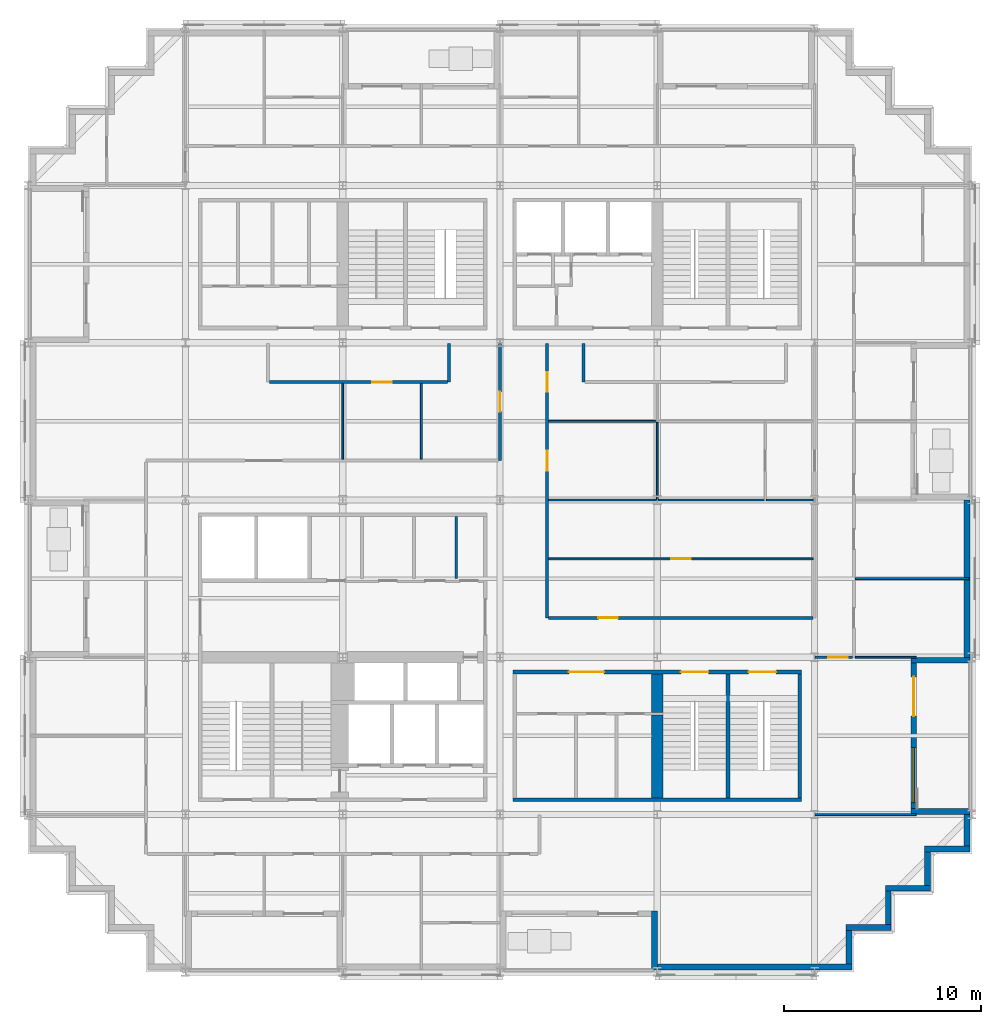
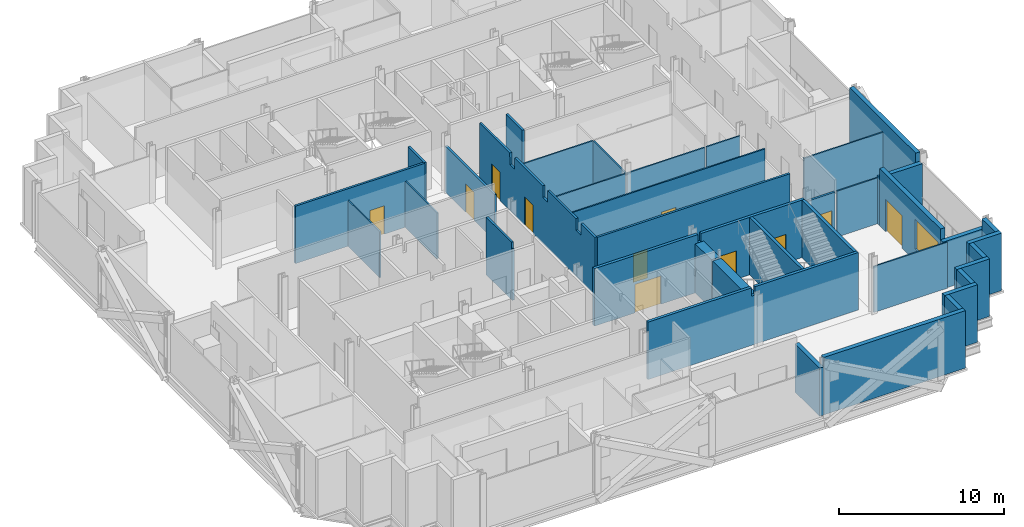
# One storey, part 7 of 15: 38 walls, 11 doors, 1 window, 12 openings.
"""IFC4 building model written with IfcOpenShell, lengths in metres."""

from ifc_helpers import new_model, si_unit, direction, frame, frame_2d, origin, place, context, subcontext, project, spatial, polyline, rectangle, outline, extrude, material, layer, layer_set, type_object, element, fill, save


model = new_model("IFC4")

# Units and contexts
model_context = context("Model", 3, precision=1e-05, world=origin(), true_north=direction((0.0, 1.0)))
body_context = subcontext(model_context, "Body", "Model", "MODEL_VIEW")
ifc_project = project(units=[si_unit("LENGTHUNIT", "METRE"), si_unit("AREAUNIT", "SQUARE_METRE"), si_unit("VOLUMEUNIT", "CUBIC_METRE"), si_unit("PLANEANGLEUNIT", "RADIAN"), si_unit("MASSUNIT", "GRAM", prefix="KILO")], contexts=[model_context])

# Site, building, storey
site_placement = place(None, origin())
site = spatial("IfcSite", under=ifc_project, at=site_placement, CompositionType="ELEMENT")
building_placement = place(site_placement, origin())
building = spatial("IfcBuilding", under=site, at=building_placement, Name="Immortelle Media Tower", CompositionType="ELEMENT")
storey_placement = place(building_placement, frame((0.0, 0.0, 61.199951171875)))
storey = spatial("IfcBuildingStorey", under=building, at=storey_placement, Name="L10", CompositionType="ELEMENT", Elevation=61.199951171875)

# Wall
ifc_material_1 = material(Name="Fire-rated gypsum board", Category="gypsum")
ifc_layer_1 = layer(ifc_material_1, 0.02490234375)
ifc_material_2 = material(Name="Steel ASTM A653 SS Gr 50 stud frame with mineral wool", Category="steel")
ifc_layer_2 = layer(ifc_material_2, 0.10009765625)
ifc_layer_3 = layer(ifc_material_1, 0.02490234375)
ifc_layer_set_1 = layer_set([ifc_layer_1, ifc_layer_2, ifc_layer_3], Name="Steel ASTM A653 SS Gr 50 stud frame with mineral wool")
wall_type_1 = type_object("IfcWallType", Name="Core partition 150", PredefinedType="PARTITIONING", material=ifc_layer_set_1)
wall_1_placement = place(storey_placement, frame((21.77490234375, 20.0, 0.0), z_axis=(0.0, 0.0, 1.0), x_axis=(0.0, 1.0, 0.0)))
element("IfcWall", 1, at=wall_1_placement, inside=storey, type_object=wall_type_1, Name="Core partition SW", PredefinedType="PARTITIONING", context=body_context, shape_type="SweptSolid", body=[
    extrude(outline(polyline([(0.0, 0.0), (3.14990234375, 0.0), (3.14990234375, 4.25), (0.08154296875, 4.25), (0.08056640625, 3.7890625), (0.0, 3.7890625), (0.0, 0.0)])), frame((0.0, 0.074951171875, 0.0), z_axis=(0.0, -1.0, 0.0), x_axis=(1.0, 0.0, 0.0)), (0.0, 0.0, 1.0), 0.14990234375),
])

# Wall, opening, door
ifc_layer_4 = layer(ifc_material_1, 0.012451171875)
ifc_layer_5 = layer(ifc_material_2, 0.125)
ifc_layer_6 = layer(ifc_material_1, 0.012451171875)
ifc_layer_set_2 = layer_set([ifc_layer_4, ifc_layer_5, ifc_layer_6], Name="Steel ASTM A653 SS Gr 50 stud frame with mineral wool")
wall_type_2 = type_object("IfcWallType", Name="Corridor wall 150", PredefinedType="PARTITIONING", material=ifc_layer_set_2)
wall_2_placement = place(storey_placement, frame((40.030029296875, 16.0, 0.0), z_axis=(0.0, 0.0, 1.0), x_axis=(1.0, 0.0, 0.0)))
wall_2 = element("IfcWall", 2, at=wall_2_placement, inside=storey, type_object=wall_type_2, Name="Partition L10-015", PredefinedType="PARTITIONING", context=body_context, shape_type="SweptSolid", body=[
    extrude(rectangle(XDim=1.89501953125, YDim=0.14990234375, at=frame_2d((0.947509765625, 0.0))), origin(), (0.0, 0.0, 1.0), 3.39111328125),
])
opening_1_placement = place(wall_2_placement, frame((1.669921875, 0.0, 0.0), z_axis=(0.0, 0.0, 1.0), x_axis=(-1.0, 0.0, 0.0)))
opening_1 = element("IfcOpeningElement", 3, at=opening_1_placement, cuts=wall_2, Name="Opening N3-F010", PredefinedType="OPENING", context=body_context, shape_type="SweptSolid", body=[
    extrude(rectangle(XDim=1.0, YDim=2.10009765625, at=frame_2d((0.5, 1.050048828125))), frame((0.0, 0.0849609375, 0.0), z_axis=(0.0, -1.0, 0.0), x_axis=(1.0, 0.0, 0.0)), (0.0, 0.0, 1.0), 0.169921875),
])
ifc_material_3 = material(Name="Timber veneered door leaf, galvanised steel frame ASTM A653", Category="steel")
door_type_1 = type_object("IfcDoorType", Name="Room door 1000 x 2100", OperationType="NOTDEFINED", PredefinedType="DOOR", material=ifc_material_3)
door_1_placement = place(opening_1_placement, origin())
door_1 = element("IfcDoor", 4, at=door_1_placement, inside=storey, type_object=door_type_1, Name="Door N3-F010", OperationType="SINGLE_SWING_RIGHT", OverallHeight=2.10009765625, OverallWidth=1.0, PredefinedType="DOOR", context=body_context, shape_type="SweptSolid", body=[
    extrude(rectangle(XDim=1.0, YDim=2.10009765625, at=frame_2d((0.5, 1.050048828125))), frame((0.0, 0.02490234375, 0.0), z_axis=(0.0, -1.0, 0.0), x_axis=(1.0, 0.0, 0.0)), (0.0, 0.0, 1.0), 0.050048828125),
])
fill(opening_1, door_1)

wall_3_placement = place(storey_placement, frame((26.47509765625, 18.0, 0.0), z_axis=(0.0, 0.0, 1.0), x_axis=(1.0, 0.0, 0.0)))
wall_3 = element("IfcWall", 5, at=wall_3_placement, inside=storey, type_object=wall_type_2, Name="Partition L10-018", PredefinedType="PARTITIONING", context=body_context, shape_type="SweptSolid", body=[
    extrude(rectangle(XDim=13.449951171875, YDim=0.14990234375, at=frame_2d((6.72509765625, 0.0))), origin(), (0.0, 0.0, 1.0), 4.25),
])
opening_2_placement = place(wall_3_placement, frame((3.52490234375, 0.0, 0.0), z_axis=(0.0, 0.0, 1.0), x_axis=(-1.0, 0.0, 0.0)))
opening_2 = element("IfcOpeningElement", 6, at=opening_2_placement, cuts=wall_3, Name="Opening N3-F014", PredefinedType="OPENING", context=body_context, shape_type="SweptSolid", body=[
    extrude(rectangle(XDim=1.0, YDim=2.10009765625, at=frame_2d((0.5, 1.050048828125))), frame((0.0, 0.0849609375, 0.0), z_axis=(0.0, -1.0, 0.0), x_axis=(1.0, 0.0, 0.0)), (0.0, 0.0, 1.0), 0.169921875),
])
door_2_placement = place(opening_2_placement, origin())
door_2 = element("IfcDoor", 7, at=door_2_placement, inside=storey, type_object=door_type_1, Name="Door N3-F014", OperationType="SINGLE_SWING_RIGHT", OverallHeight=2.10009765625, OverallWidth=1.0, PredefinedType="DOOR", context=body_context, shape_type="SweptSolid", body=[
    extrude(rectangle(XDim=1.0, YDim=2.10009765625, at=frame_2d((0.5, 1.050048828125))), frame((0.0, 0.02490234375, 0.0), z_axis=(0.0, -1.0, 0.0), x_axis=(1.0, 0.0, 0.0)), (0.0, 0.0, 1.0), 0.050048828125),
])
fill(opening_2, door_2)

# Wall, openings, doors
wall_4_placement = place(storey_placement, frame((26.39990234375, 18.0, 0.0), z_axis=(0.0, 0.0, 1.0), x_axis=(0.0, 1.0, 0.0)))
wall_4 = element("IfcWall", 8, at=wall_4_placement, inside=storey, type_object=wall_type_2, Name="Partition L10-019", PredefinedType="PARTITIONING", context=body_context, shape_type="SweptSolid", body=[
    extrude(outline(polyline([(0.0, 0.0), (13.969970703125, 0.0), (13.969970703125, 4.25), (10.300048828125, 4.25), (10.298095703125, 3.39111328125), (9.701904296875, 3.39111328125), (9.699951171875, 4.25), (6.300048828125, 4.25), (6.298095703125, 3.39111328125), (5.701904296875, 3.39111328125), (5.699951171875, 4.25), (2.300048828125, 4.25), (2.298095703125, 3.39111328125), (1.701904296875, 3.39111328125), (1.699951171875, 4.25), (0.0, 4.25), (0.0, 0.0)])), frame((0.0, 0.074951171875, 0.0), z_axis=(0.0, -1.0, 0.0), x_axis=(1.0, 0.0, 0.0)), (0.0, 0.0, 1.0), 0.14990234375),
])
opening_3_placement = place(wall_4_placement, frame((8.5, 0.0, 0.0), z_axis=(0.0, 0.0, 1.0), x_axis=(-1.0, 0.0, 0.0)))
opening_3 = element("IfcOpeningElement", 9, at=opening_3_placement, cuts=wall_4, Name="Opening N3-F019", PredefinedType="OPENING", context=body_context, shape_type="SweptSolid", body=[
    extrude(rectangle(XDim=1.0, YDim=2.10009765625, at=frame_2d((0.5, 1.050048828125))), frame((0.0, 0.0849609375, 0.0), z_axis=(0.0, -1.0, 0.0), x_axis=(1.0, 0.0, 0.0)), (0.0, 0.0, 1.0), 0.169921875),
])
opening_4_placement = place(wall_4_placement, frame((12.5, 0.0, 0.0), z_axis=(0.0, 0.0, 1.0), x_axis=(-1.0, 0.0, 0.0)))
opening_4 = element("IfcOpeningElement", 10, at=opening_4_placement, cuts=wall_4, Name="Opening N3-F020", PredefinedType="OPENING", context=body_context, shape_type="SweptSolid", body=[
    extrude(rectangle(XDim=1.0, YDim=2.10009765625, at=frame_2d((0.5, 1.050048828125))), frame((0.0, 0.0849609375, 0.0), z_axis=(0.0, -1.0, 0.0), x_axis=(1.0, 0.0, 0.0)), (0.0, 0.0, 1.0), 0.169921875),
])
door_3_placement = place(opening_3_placement, origin())
door_3 = element("IfcDoor", 11, at=door_3_placement, inside=storey, type_object=door_type_1, Name="Door N3-F019", OperationType="SINGLE_SWING_LEFT", OverallHeight=2.10009765625, OverallWidth=1.0, PredefinedType="DOOR", context=body_context, shape_type="SweptSolid", body=[
    extrude(rectangle(XDim=1.0, YDim=2.10009765625, at=frame_2d((0.5, 1.050048828125))), frame((0.0, 0.02490234375, 0.0), z_axis=(0.0, -1.0, 0.0), x_axis=(1.0, 0.0, 0.0)), (0.0, 0.0, 1.0), 0.050048828125),
])
fill(opening_3, door_3)
door_4_placement = place(opening_4_placement, origin())
door_4 = element("IfcDoor", 12, at=door_4_placement, inside=storey, type_object=door_type_1, Name="Door N3-F020", OperationType="SINGLE_SWING_LEFT", OverallHeight=2.10009765625, OverallWidth=1.0, PredefinedType="DOOR", context=body_context, shape_type="SweptSolid", body=[
    extrude(rectangle(XDim=1.0, YDim=2.10009765625, at=frame_2d((0.5, 1.050048828125))), frame((0.0, 0.02490234375, 0.0), z_axis=(0.0, -1.0, 0.0), x_axis=(1.0, 0.0, 0.0)), (0.0, 0.0, 1.0), 0.050048828125),
])
fill(opening_4, door_4)

# Wall, opening, door
wall_5_placement = place(storey_placement, frame((24.0, 26.0, 0.0), z_axis=(0.0, 0.0, 1.0), x_axis=(0.0, 1.0, 0.0)))
wall_5 = element("IfcWall", 13, at=wall_5_placement, inside=storey, type_object=wall_type_2, Name="Partition L10-033", PredefinedType="PARTITIONING", context=body_context, shape_type="SweptSolid", body=[
    extrude(rectangle(XDim=5.969970703125, YDim=0.14990234375, at=frame_2d((2.98486328125, 0.0))), origin(), (0.0, 0.0, 1.0), 3.39111328125),
])
opening_5_placement = place(wall_5_placement, frame((2.5, 0.0, 0.0)))
opening_5 = element("IfcOpeningElement", 14, at=opening_5_placement, cuts=wall_5, Name="Opening N3-F024", PredefinedType="OPENING", context=body_context, shape_type="SweptSolid", body=[
    extrude(rectangle(XDim=1.0, YDim=2.10009765625, at=frame_2d((0.5, 1.050048828125))), frame((0.0, 0.0849609375, 0.0), z_axis=(0.0, -1.0, 0.0), x_axis=(1.0, 0.0, 0.0)), (0.0, 0.0, 1.0), 0.169921875),
])
door_5_placement = place(opening_5_placement, origin())
door_5 = element("IfcDoor", 15, at=door_5_placement, inside=storey, type_object=door_type_1, Name="Door N3-F024", OperationType="SINGLE_SWING_RIGHT", OverallHeight=2.10009765625, OverallWidth=1.0, PredefinedType="DOOR", context=body_context, shape_type="SweptSolid", body=[
    extrude(rectangle(XDim=1.0, YDim=2.10009765625, at=frame_2d((0.5, 1.050048828125))), frame((0.0, 0.02490234375, 0.0), z_axis=(0.0, -1.0, 0.0), x_axis=(1.0, 0.0, 0.0)), (0.0, 0.0, 1.0), 0.050048828125),
])
fill(opening_5, door_5)

wall_6_placement = place(storey_placement, frame((12.27490234375, 30.0, 0.0), z_axis=(0.0, 0.0, 1.0), x_axis=(1.0, 0.0, 0.0)))
wall_6 = element("IfcWall", 16, at=wall_6_placement, inside=storey, type_object=wall_type_2, Name="Partition L10-039", PredefinedType="PARTITIONING", context=body_context, shape_type="SweptSolid", body=[
    extrude(rectangle(XDim=9.050048828125, YDim=0.14990234375, at=frame_2d((4.52490234375, 0.0))), origin(), (0.0, 0.0, 1.0), 4.25),
])
opening_6_placement = place(wall_6_placement, frame((6.22509765625, 0.0, 0.0), z_axis=(0.0, 0.0, 1.0), x_axis=(-1.0, 0.0, 0.0)))
opening_6 = element("IfcOpeningElement", 17, at=opening_6_placement, cuts=wall_6, Name="Opening N3-F023", PredefinedType="OPENING", context=body_context, shape_type="SweptSolid", body=[
    extrude(rectangle(XDim=1.0, YDim=2.10009765625, at=frame_2d((0.5, 1.050048828125))), frame((0.0, 0.0849609375, 0.0), z_axis=(0.0, -1.0, 0.0), x_axis=(1.0, 0.0, 0.0)), (0.0, 0.0, 1.0), 0.169921875),
])
door_6_placement = place(opening_6_placement, origin())
door_6 = element("IfcDoor", 18, at=door_6_placement, inside=storey, type_object=door_type_1, Name="Door N3-F023", OperationType="SINGLE_SWING_LEFT", OverallHeight=2.10009765625, OverallWidth=1.0, PredefinedType="DOOR", context=body_context, shape_type="SweptSolid", body=[
    extrude(rectangle(XDim=1.0, YDim=2.10009765625, at=frame_2d((0.5, 1.050048828125))), frame((0.0, 0.02490234375, 0.0), z_axis=(0.0, -1.0, 0.0), x_axis=(1.0, 0.0, 0.0)), (0.0, 0.0, 1.0), 0.050048828125),
])
fill(opening_6, door_6)

# Walls
for number, where, z_axis, x_axis, name in (
    (19, (21.39990234375, 30.0, 0.0), (0.0, 0.0, 1.0), (0.0, 1.0, 0.0), "Partition L10-041"),
    (20, (28.25, 30.0, 0.0), (0.0, 0.0, 1.0), (0.0, 1.0, 0.0), "Partition L10-043"),
):
    element("IfcWall", number, at=place(storey_placement, frame(where, z_axis=z_axis, x_axis=x_axis)), inside=storey, type_object=wall_type_2, Name=name, PredefinedType="PARTITIONING", context=body_context, shape_type="SweptSolid", body=[
        extrude(rectangle(XDim=1.969970703125, YDim=0.14990234375, at=frame_2d((0.98486328125, 0.0))), origin(), (0.0, 0.0, 1.0), 4.25),
    ])
ifc_material_4 = material(Name="Pale aluminium cladding panel", Category="aluminium")
ifc_layer_7 = layer(ifc_material_4, 0.030029296875)
ifc_layer_8 = layer(ifc_material_2, 0.257568359375)
ifc_material_5 = material(Name="Moisture-resistant gypsum board", Category="gypsum")
ifc_layer_9 = layer(ifc_material_5, 0.012451171875)
ifc_layer_set_3 = layer_set([ifc_layer_7, ifc_layer_8, ifc_layer_9], Name="Steel ASTM A653 SS Gr 50 stud frame with mineral wool")
wall_type_3 = type_object("IfcWallType", Name="Facade wall 300", PredefinedType="SOLIDWALL", material=ifc_layer_set_3)
wall_7_placement = place(storey_placement, frame((31.85009765625, 0.10009765625, 0.0), z_axis=(0.0, 0.0, 1.0), x_axis=(0.0, 1.0, 0.0)))
element("IfcWall", 21, at=wall_7_placement, inside=storey, type_object=wall_type_3, Name="Loggia cheek wall L10 S", PredefinedType="SOLIDWALL", context=body_context, shape_type="SweptSolid", body=[
    extrude(rectangle(XDim=3.0, YDim=0.300048828125, at=frame_2d((1.5, 0.0))), origin(), (0.0, 0.0, 1.0), 3.55615234375),
])
wall_8_placement = place(storey_placement, frame((32.0, 0.25, 0.0), z_axis=(0.0, 0.0, 1.0), x_axis=(1.0, 0.0, 0.0)))
element("IfcWall", 22, at=wall_8_placement, inside=storey, type_object=wall_type_3, Name="Facade wall L10 S7", PredefinedType="SOLIDWALL", context=body_context, shape_type="SweptSolid", body=[
    extrude(rectangle(XDim=9.89990234375, YDim=0.300048828125, at=frame_2d((4.949951171875, 0.0))), origin(), (0.0, 0.0, 1.0), 4.25),
])
wall_9_placement = place(storey_placement, frame((41.75, 0.39990234375, 0.0), z_axis=(0.0, 0.0, 1.0), x_axis=(0.0, 1.0, 0.0)))
element("IfcWall", 23, at=wall_9_placement, inside=storey, type_object=wall_type_3, Name="Facade wall L10 E8", PredefinedType="SOLIDWALL", context=body_context, shape_type="SweptSolid", body=[
    extrude(rectangle(XDim=1.7001953125, YDim=0.300048828125, at=frame_2d((0.85009765625, 0.0))), origin(), (0.0, 0.0, 1.0), 4.25),
])
wall_10_placement = place(storey_placement, frame((41.60009765625, 2.25, 0.0), z_axis=(0.0, 0.0, 1.0), x_axis=(1.0, 0.0, 0.0)))
element("IfcWall", 24, at=wall_10_placement, inside=storey, type_object=wall_type_3, Name="Facade wall L10 S9", PredefinedType="SOLIDWALL", context=body_context, shape_type="SweptSolid", body=[
    extrude(rectangle(XDim=2.2998046875, YDim=0.300048828125, at=frame_2d((1.14990234375, 0.0))), origin(), (0.0, 0.0, 1.0), 4.25),
])
wall_11_placement = place(storey_placement, frame((43.75, 2.39990234375, 0.0), z_axis=(0.0, 0.0, 1.0), x_axis=(0.0, 1.0, 0.0)))
element("IfcWall", 25, at=wall_11_placement, inside=storey, type_object=wall_type_3, Name="Facade wall L10 E10", PredefinedType="SOLIDWALL", context=body_context, shape_type="SweptSolid", body=[
    extrude(rectangle(XDim=1.7001953125, YDim=0.300048828125, at=frame_2d((0.85009765625, 0.0))), origin(), (0.0, 0.0, 1.0), 4.25),
])
wall_12_placement = place(storey_placement, frame((43.60009765625, 4.25, 0.0), z_axis=(0.0, 0.0, 1.0), x_axis=(1.0, 0.0, 0.0)))
element("IfcWall", 26, at=wall_12_placement, inside=storey, type_object=wall_type_3, Name="Facade wall L10 S11", PredefinedType="SOLIDWALL", context=body_context, shape_type="SweptSolid", body=[
    extrude(rectangle(XDim=2.2998046875, YDim=0.300048828125, at=frame_2d((1.14990234375, 0.0))), origin(), (0.0, 0.0, 1.0), 4.25),
])
wall_13_placement = place(storey_placement, frame((45.75, 4.39990234375, 0.0), z_axis=(0.0, 0.0, 1.0), x_axis=(0.0, 1.0, 0.0)))
element("IfcWall", 27, at=wall_13_placement, inside=storey, type_object=wall_type_3, Name="Facade wall L10 E12", PredefinedType="SOLIDWALL", context=body_context, shape_type="SweptSolid", body=[
    extrude(rectangle(XDim=1.7001953125, YDim=0.300048828125, at=frame_2d((0.85009765625, 0.0))), origin(), (0.0, 0.0, 1.0), 4.25),
])
wall_14_placement = place(storey_placement, frame((45.60009765625, 6.25, 0.0), z_axis=(0.0, 0.0, 1.0), x_axis=(1.0, 0.0, 0.0)))
element("IfcWall", 28, at=wall_14_placement, inside=storey, type_object=wall_type_3, Name="Facade wall L10 S13", PredefinedType="SOLIDWALL", context=body_context, shape_type="SweptSolid", body=[
    extrude(rectangle(XDim=2.2998046875, YDim=0.300048828125, at=frame_2d((1.14990234375, 0.0))), origin(), (0.0, 0.0, 1.0), 4.25),
])
wall_15_placement = place(storey_placement, frame((47.75, 6.39990234375, 0.0), z_axis=(0.0, 0.0, 1.0), x_axis=(0.0, 1.0, 0.0)))
element("IfcWall", 29, at=wall_15_placement, inside=storey, type_object=wall_type_3, Name="Facade wall L10 E14", PredefinedType="SOLIDWALL", context=body_context, shape_type="SweptSolid", body=[
    extrude(rectangle(XDim=1.60009765625, YDim=0.300048828125, at=frame_2d((0.800048828125, 0.0))), origin(), (0.0, 0.0, 1.0), 4.25),
])

# Wall, openings, door, window
wall_16_placement = place(storey_placement, frame((45.050048828125, 8.300048828125, 0.0), z_axis=(0.0, 0.0, 1.0), x_axis=(0.0, 1.0, 0.0)))
wall_16 = element("IfcWall", 30, at=wall_16_placement, inside=storey, type_object=wall_type_3, Name="Loggia wall L10 E14", PredefinedType="SOLIDWALL", context=body_context, shape_type="SweptSolid", body=[
    extrude(rectangle(XDim=7.39990234375, YDim=0.300048828125, at=frame_2d((3.699951171875, 0.0))), origin(), (0.0, 0.0, 1.0), 4.25),
])
opening_7_placement = place(wall_16_placement, frame((0.300048828125, 0.0, 0.89990234375)))
opening_7 = element("IfcOpeningElement", 31, at=opening_7_placement, cuts=wall_16, Name="Opening W1", PredefinedType="OPENING", context=body_context, shape_type="SweptSolid", body=[
    extrude(rectangle(XDim=2.800048828125, YDim=2.199951171875, at=frame_2d((1.39990234375, 1.10009765625))), frame((0.0, 0.159912109375, 0.0), z_axis=(0.0, -1.0, 0.0), x_axis=(1.0, 0.0, 0.0)), (0.0, 0.0, 1.0), 0.320068359375),
])
opening_8_placement = place(wall_16_placement, frame((4.699951171875, 0.0, 0.0)))
opening_8 = element("IfcOpeningElement", 32, at=opening_8_placement, cuts=wall_16, Name="Opening N3-E005", PredefinedType="OPENING", context=body_context, shape_type="SweptSolid", body=[
    extrude(rectangle(XDim=2.0, YDim=2.39990234375, at=frame_2d((1.0, 1.199951171875))), frame((0.0, 0.159912109375, 0.0), z_axis=(0.0, -1.0, 0.0), x_axis=(1.0, 0.0, 0.0)), (0.0, 0.0, 1.0), 0.320068359375),
])
ifc_material_6 = material(Name="Aluminium frame, glazed leaves", Category="aluminium")
door_type_2 = type_object("IfcDoorType", Name="Loggia door 2000 x 2400", OperationType="DOUBLE_DOOR_SINGLE_SWING", PredefinedType="DOOR", material=ifc_material_6)
door_7_placement = place(opening_8_placement, origin())
door_7 = element("IfcDoor", 33, at=door_7_placement, inside=storey, type_object=door_type_2, Name="Door N3-E005", OperationType="DOUBLE_DOOR_SINGLE_SWING", OverallHeight=2.39990234375, OverallWidth=2.0, PredefinedType="DOOR", context=body_context, shape_type="SweptSolid", body=[
    extrude(rectangle(XDim=2.0, YDim=2.39990234375, at=frame_2d((1.0, 1.199951171875))), frame((0.0, 0.02490234375, 0.0), z_axis=(0.0, -1.0, 0.0), x_axis=(1.0, 0.0, 0.0)), (0.0, 0.0, 1.0), 0.050048828125),
])
fill(opening_8, door_7)
ifc_material_7 = material(Name="Aluminium frame", Category="aluminium")
window_type = type_object("IfcWindowType", Name="Window 2800 x 2200", PartitioningType="SINGLE_PANEL", PredefinedType="WINDOW", material=ifc_material_7)
window_placement = place(opening_7_placement, origin())
window = element("IfcWindow", 34, at=window_placement, inside=storey, type_object=window_type, Name="Window L10 L10-R14-B0", OverallHeight=2.199951171875, OverallWidth=2.800048828125, PartitioningType="SINGLE_PANEL", PredefinedType="WINDOW", context=body_context, shape_type="SweptSolid", body=[
    extrude(rectangle(XDim=2.800048828125, YDim=2.199951171875, at=frame_2d((1.39990234375, 1.10009765625))), frame((0.0, 0.030029296875, 0.0), z_axis=(0.0, -1.0, 0.0), x_axis=(1.0, 0.0, 0.0)), (0.0, 0.0, 1.0), 0.06005859375),
])
fill(opening_7, window)

# Walls
wall_17_placement = place(storey_placement, frame((47.89990234375, 8.14990234375, 0.0), z_axis=(0.0, 0.0, 1.0), x_axis=(-1.0, 0.0, 0.0)))
element("IfcWall", 35, at=wall_17_placement, inside=storey, type_object=wall_type_3, Name="Loggia cheek wall L10 E", PredefinedType="SOLIDWALL", context=body_context, shape_type="SweptSolid", body=[
    extrude(rectangle(XDim=3.0, YDim=0.300048828125, at=frame_2d((1.5, 0.0))), origin(), (0.0, 0.0, 1.0), 3.468994140625),
])
wall_18_placement = place(storey_placement, frame((47.89990234375, 15.85009765625, 0.0), z_axis=(0.0, 0.0, 1.0), x_axis=(-1.0, 0.0, 0.0)))
element("IfcWall", 36, at=wall_18_placement, inside=storey, type_object=wall_type_3, Name="Loggia cheek wall L10 E", PredefinedType="SOLIDWALL", context=body_context, shape_type="SweptSolid", body=[
    extrude(rectangle(XDim=3.0, YDim=0.300048828125, at=frame_2d((1.5, 0.0))), origin(), (0.0, 0.0, 1.0), 3.55615234375),
])
wall_19_placement = place(storey_placement, frame((47.75, 16.0, 0.0), z_axis=(0.0, 0.0, 1.0), x_axis=(0.0, 1.0, 0.0)))
element("IfcWall", 37, at=wall_19_placement, inside=storey, type_object=wall_type_3, Name="Facade wall L10 E14", PredefinedType="SOLIDWALL", context=body_context, shape_type="SweptSolid", body=[
    extrude(rectangle(XDim=8.0, YDim=0.300048828125, at=frame_2d((4.0, 0.0))), origin(), (0.0, 0.0, 1.0), 4.25),
])
ifc_material_8 = material(Name="Gypsum board", Category="gypsum")
ifc_layer_10 = layer(ifc_material_8, 0.012451171875)
ifc_layer_11 = layer(ifc_material_2, 0.074951171875)
ifc_layer_12 = layer(ifc_material_8, 0.012451171875)
ifc_layer_set_4 = layer_set([ifc_layer_10, ifc_layer_11, ifc_layer_12], Name="Steel ASTM A653 SS Gr 50 stud frame with mineral wool")
wall_type_4 = type_object("IfcWallType", Name="Partition 100", PredefinedType="PARTITIONING", material=ifc_layer_set_4)
wall_20_placement = place(storey_placement, frame((40.030029296875, 8.0, 0.0), z_axis=(0.0, 0.0, 1.0), x_axis=(1.0, 0.0, 0.0)))
element("IfcWall", 38, at=wall_20_placement, inside=storey, type_object=wall_type_4, Name="Partition L10-012", PredefinedType="PARTITIONING", context=body_context, shape_type="SweptSolid", body=[
    extrude(rectangle(XDim=5.139892578125, YDim=0.10009765625, at=frame_2d((2.56982421875, 0.0))), origin(), (0.0, 0.0, 1.0), 3.39111328125),
])
wall_21_placement = place(storey_placement, frame((42.074951171875, 16.0, 0.0), z_axis=(0.0, 0.0, 1.0), x_axis=(1.0, 0.0, 0.0)))
element("IfcWall", 39, at=wall_21_placement, inside=storey, type_object=wall_type_4, Name="Partition L10-016", PredefinedType="PARTITIONING", context=body_context, shape_type="SweptSolid", body=[
    extrude(rectangle(XDim=3.094970703125, YDim=0.10009765625, at=frame_2d((1.54736328125, 0.0))), origin(), (0.0, 0.0, 1.0), 3.39111328125),
])
wall_22_placement = place(storey_placement, frame((42.074951171875, 20.0, 0.0), z_axis=(0.0, 0.0, 1.0), x_axis=(1.0, 0.0, 0.0)))
element("IfcWall", 40, at=wall_22_placement, inside=storey, type_object=wall_type_4, Name="Partition L10-021", PredefinedType="PARTITIONING", context=body_context, shape_type="SweptSolid", body=[
    extrude(rectangle(XDim=5.795166015625, YDim=0.10009765625, at=frame_2d((2.8974609375, 0.0))), origin(), (0.0, 0.0, 1.0), 3.39111328125),
])

# Wall, opening, door
wall_23_placement = place(storey_placement, frame((26.47509765625, 21.0, 0.0), z_axis=(0.0, 0.0, 1.0), x_axis=(1.0, 0.0, 0.0)))
wall_23 = element("IfcWall", 41, at=wall_23_placement, inside=storey, type_object=wall_type_4, Name="Partition L10-022", PredefinedType="PARTITIONING", context=body_context, shape_type="SweptSolid", body=[
    extrude(rectangle(XDim=13.449951171875, YDim=0.10009765625, at=frame_2d((6.72509765625, 0.0))), origin(), (0.0, 0.0, 1.0), 4.25),
])
opening_9_placement = place(wall_23_placement, frame((7.22509765625, 0.0, 0.0), z_axis=(0.0, 0.0, 1.0), x_axis=(-1.0, 0.0, 0.0)))
opening_9 = element("IfcOpeningElement", 42, at=opening_9_placement, cuts=wall_23, Name="Opening N3-F015", PredefinedType="OPENING", context=body_context, shape_type="SweptSolid", body=[
    extrude(rectangle(XDim=1.0, YDim=2.10009765625, at=frame_2d((0.5, 1.050048828125))), frame((0.0, 0.06005859375, 0.0), z_axis=(0.0, -1.0, 0.0), x_axis=(1.0, 0.0, 0.0)), (0.0, 0.0, 1.0), 0.1201171875),
])
door_8_placement = place(opening_9_placement, origin())
door_8 = element("IfcDoor", 43, at=door_8_placement, inside=storey, type_object=door_type_1, Name="Door N3-F015", OperationType="SINGLE_SWING_RIGHT", OverallHeight=2.10009765625, OverallWidth=1.0, PredefinedType="DOOR", context=body_context, shape_type="SweptSolid", body=[
    extrude(rectangle(XDim=1.0, YDim=2.10009765625, at=frame_2d((0.5, 1.050048828125))), frame((0.0, 0.02490234375, 0.0), z_axis=(0.0, -1.0, 0.0), x_axis=(1.0, 0.0, 0.0)), (0.0, 0.0, 1.0), 0.050048828125),
])
fill(opening_9, door_8)

# Walls
wall_24_placement = place(storey_placement, frame((26.47509765625, 24.0, 0.0), z_axis=(0.0, 0.0, 1.0), x_axis=(1.0, 0.0, 0.0)))
element("IfcWall", 44, at=wall_24_placement, inside=storey, type_object=wall_type_4, Name="Partition L10-024", PredefinedType="PARTITIONING", context=body_context, shape_type="SweptSolid", body=[
    extrude(rectangle(XDim=5.474853515625, YDim=0.10009765625, at=frame_2d((2.7373046875, 0.0))), origin(), (0.0, 0.0, 1.0), 3.39111328125),
])
wall_25_placement = place(storey_placement, frame((32.050048828125, 24.0, 0.0), z_axis=(0.0, 0.0, 1.0), x_axis=(1.0, 0.0, 0.0)))
element("IfcWall", 45, at=wall_25_placement, inside=storey, type_object=wall_type_4, Name="Partition L10-025", PredefinedType="PARTITIONING", context=body_context, shape_type="SweptSolid", body=[
    extrude(rectangle(XDim=5.39990234375, YDim=0.10009765625, at=frame_2d((2.699951171875, 0.0))), origin(), (0.0, 0.0, 1.0), 3.39111328125),
])
wall_26_placement = place(storey_placement, frame((32.0, 24.0, 0.0), z_axis=(0.0, 0.0, 1.0), x_axis=(0.0, 1.0, 0.0)))
element("IfcWall", 46, at=wall_26_placement, inside=storey, type_object=wall_type_4, Name="Partition L10-026", PredefinedType="PARTITIONING", context=body_context, shape_type="SweptSolid", body=[
    extrude(rectangle(XDim=3.949951171875, YDim=0.10009765625, at=frame_2d((1.97509765625, 0.0))), origin(), (0.0, 0.0, 1.0), 3.39111328125),
])
wall_27_placement = place(storey_placement, frame((37.550048828125, 24.0, 0.0), z_axis=(0.0, 0.0, 1.0), x_axis=(1.0, 0.0, 0.0)))
element("IfcWall", 47, at=wall_27_placement, inside=storey, type_object=wall_type_4, Name="Partition L10-027", PredefinedType="PARTITIONING", context=body_context, shape_type="SweptSolid", body=[
    extrude(rectangle(XDim=2.375, YDim=0.10009765625, at=frame_2d((1.1875, 0.0))), origin(), (0.0, 0.0, 1.0), 3.39111328125),
])
for number, where, z_axis, x_axis, name in (
    (48, (16.0, 26.074951171875, 0.0), (0.0, 0.0, 1.0), (0.0, 1.0, 0.0), "Partition L10-031"),
    (49, (20.0, 26.074951171875, 0.0), (0.0, 0.0, 1.0), (0.0, 1.0, 0.0), "Partition L10-032"),
):
    element("IfcWall", number, at=place(storey_placement, frame(where, z_axis=z_axis, x_axis=x_axis)), inside=storey, type_object=wall_type_4, Name=name, PredefinedType="PARTITIONING", context=body_context, shape_type="SweptSolid", body=[
        extrude(rectangle(XDim=3.85009765625, YDim=0.10009765625, at=frame_2d((1.925048828125, 0.0))), origin(), (0.0, 0.0, 1.0), 3.39111328125),
    ])
wall_28_placement = place(storey_placement, frame((26.47509765625, 28.0, 0.0), z_axis=(0.0, 0.0, 1.0), x_axis=(1.0, 0.0, 0.0)))
element("IfcWall", 50, at=wall_28_placement, inside=storey, type_object=wall_type_4, Name="Partition L10-034", PredefinedType="PARTITIONING", context=body_context, shape_type="SweptSolid", body=[
    extrude(rectangle(XDim=5.474853515625, YDim=0.10009765625, at=frame_2d((2.7373046875, 0.0))), origin(), (0.0, 0.0, 1.0), 3.39111328125),
])
ifc_material_9 = material(Name="Concrete C60", Category="concrete")
ifc_layer_13 = layer(ifc_material_9, 0.199951171875)
ifc_layer_set_5 = layer_set([ifc_layer_13], Name="Concrete C60")
wall_type_5 = type_object("IfcWallType", Name="Stair shaft wall 200", PredefinedType="PARTITIONING", material=ifc_layer_set_5)
wall_29_placement = place(storey_placement, frame((24.64990234375, 8.75, 0.0), z_axis=(0.0, 0.0, 1.0), x_axis=(1.0, 0.0, 0.0)))
element("IfcWall", 51, at=wall_29_placement, inside=storey, type_object=wall_type_5, Name="Stair shaft wall SE", PredefinedType="PARTITIONING", context=body_context, shape_type="SweptSolid", body=[
    extrude(outline(polyline([(0.0, 0.0), (14.7001953125, 0.0), (14.699951171875, 4.25), (7.469482421875, 4.25), (7.468505859375, 3.632080078125), (7.2314453125, 3.632080078125), (7.23046875, 4.25), (0.0, 4.25), (0.0, 0.0)])), frame((0.0, 0.10009765625, 0.0), z_axis=(0.0, -1.0, 0.0), x_axis=(1.0, 0.0, 0.0)), (0.0, 0.0, 1.0), 0.199951171875),
])

# Wall, openings, doors
wall_30_placement = place(storey_placement, frame((24.64990234375, 15.25, 0.0), z_axis=(0.0, 0.0, 1.0), x_axis=(1.0, 0.0, 0.0)))
wall_30 = element("IfcWall", 52, at=wall_30_placement, inside=storey, type_object=wall_type_5, Name="Stair shaft wall SE", PredefinedType="PARTITIONING", context=body_context, shape_type="SweptSolid", body=[
    extrude(outline(polyline([(0.0, 0.0), (14.7001953125, 0.0), (14.699951171875, 4.25), (7.469482421875, 4.25), (7.468505859375, 3.632080078125), (7.2314453125, 3.632080078125), (7.23046875, 4.25), (0.0, 4.25), (0.0, 0.0)])), frame((0.0, 0.10009765625, 0.0), z_axis=(0.0, -1.0, 0.0), x_axis=(1.0, 0.0, 0.0)), (0.0, 0.0, 1.0), 0.199951171875),
])
opening_10_placement = place(wall_30_placement, frame((2.85009765625, 0.0, 0.0)))
opening_10 = element("IfcOpeningElement", 53, at=opening_10_placement, cuts=wall_30, Name="Opening N3-K016", PredefinedType="OPENING", context=body_context, shape_type="SweptSolid", body=[
    extrude(rectangle(XDim=1.800048828125, YDim=2.10009765625, at=frame_2d((0.89990234375, 1.050048828125))), frame((0.0, 0.10986328125, 0.0), z_axis=(0.0, -1.0, 0.0), x_axis=(1.0, 0.0, 0.0)), (0.0, 0.0, 1.0), 0.219970703125),
])
opening_11_placement = place(wall_30_placement, frame((9.949951171875, 0.0, 0.0), z_axis=(0.0, 0.0, 1.0), x_axis=(-1.0, 0.0, 0.0)))
opening_11 = element("IfcOpeningElement", 54, at=opening_11_placement, cuts=wall_30, Name="Opening N3-K019", PredefinedType="OPENING", context=body_context, shape_type="SweptSolid", body=[
    extrude(rectangle(XDim=1.39990234375, YDim=2.10009765625, at=frame_2d((0.699951171875, 1.050048828125))), frame((0.0, 0.10986328125, 0.0), z_axis=(0.0, -1.0, 0.0), x_axis=(1.0, 0.0, 0.0)), (0.0, 0.0, 1.0), 0.219970703125),
])
opening_12_placement = place(wall_30_placement, frame((13.39990234375, 0.0, 0.0), z_axis=(0.0, 0.0, 1.0), x_axis=(-1.0, 0.0, 0.0)))
opening_12 = element("IfcOpeningElement", 55, at=opening_12_placement, cuts=wall_30, Name="Opening N3-K020", PredefinedType="OPENING", context=body_context, shape_type="SweptSolid", body=[
    extrude(rectangle(XDim=1.39990234375, YDim=2.10009765625, at=frame_2d((0.699951171875, 1.050048828125))), frame((0.0, 0.10986328125, 0.0), z_axis=(0.0, -1.0, 0.0), x_axis=(1.0, 0.0, 0.0)), (0.0, 0.0, 1.0), 0.219970703125),
])
ifc_material_10 = material(Name="Galvanised steel door leaf and frame ASTM A653", Category="steel")
door_type_3 = type_object("IfcDoorType", Name="Lift lobby door 1800 x 2100", OperationType="DOUBLE_DOOR_SINGLE_SWING", PredefinedType="NOTDEFINED", material=ifc_material_10)
door_9_placement = place(opening_10_placement, origin())
door_9 = element("IfcDoor", 56, at=door_9_placement, inside=storey, type_object=door_type_3, Name="Lift lobby N3-K016", OperationType="DOUBLE_DOOR_SINGLE_SWING", OverallHeight=2.10009765625, OverallWidth=1.800048828125, PredefinedType="NOTDEFINED", context=body_context, shape_type="SweptSolid", body=[
    extrude(rectangle(XDim=1.800048828125, YDim=2.10009765625, at=frame_2d((0.89990234375, 1.050048828125))), frame((0.0, 0.02490234375, 0.0), z_axis=(0.0, -1.0, 0.0), x_axis=(1.0, 0.0, 0.0)), (0.0, 0.0, 1.0), 0.050048828125),
])
fill(opening_10, door_9)
door_type_4 = type_object("IfcDoorType", Name="Stair door 1400 x 2100", OperationType="DOUBLE_DOOR_SINGLE_SWING", PredefinedType="NOTDEFINED", material=ifc_material_10)
door_10_placement = place(opening_11_placement, origin())
door_10 = element("IfcDoor", 57, at=door_10_placement, inside=storey, type_object=door_type_4, Name="Stair N3-K019", OperationType="DOUBLE_DOOR_SINGLE_SWING", OverallHeight=2.10009765625, OverallWidth=1.39990234375, PredefinedType="NOTDEFINED", context=body_context, shape_type="SweptSolid", body=[
    extrude(rectangle(XDim=1.39990234375, YDim=2.10009765625, at=frame_2d((0.699951171875, 1.050048828125))), frame((0.0, 0.02490234375, 0.0), z_axis=(0.0, -1.0, 0.0), x_axis=(1.0, 0.0, 0.0)), (0.0, 0.0, 1.0), 0.050048828125),
])
fill(opening_11, door_10)
door_11_placement = place(opening_12_placement, origin())
door_11 = element("IfcDoor", 58, at=door_11_placement, inside=storey, type_object=door_type_4, Name="Stair N3-K020", OperationType="DOUBLE_DOOR_SINGLE_SWING", OverallHeight=2.10009765625, OverallWidth=1.39990234375, PredefinedType="NOTDEFINED", context=body_context, shape_type="SweptSolid", body=[
    extrude(rectangle(XDim=1.39990234375, YDim=2.10009765625, at=frame_2d((0.699951171875, 1.050048828125))), frame((0.0, 0.02490234375, 0.0), z_axis=(0.0, -1.0, 0.0), x_axis=(1.0, 0.0, 0.0)), (0.0, 0.0, 1.0), 0.050048828125),
])
fill(opening_12, door_11)

# Walls
for number, where, z_axis, x_axis, name in (
    (59, (35.60009765625, 8.85009765625, 0.0), (0.0, 0.0, 1.0), (0.0, 1.0, 0.0), "Stair shaft wall SE"),
    (60, (39.25, 8.85009765625, 0.0), (0.0, 0.0, 1.0), (0.0, 1.0, 0.0), "Stair shaft wall SE"),
):
    element("IfcWall", number, at=place(storey_placement, frame(where, z_axis=z_axis, x_axis=x_axis)), inside=storey, type_object=wall_type_5, Name=name, PredefinedType="PARTITIONING", context=body_context, shape_type="SweptSolid", body=[
        extrude(rectangle(XDim=6.2998046875, YDim=0.199951171875, at=frame_2d((3.14990234375, 0.0))), origin(), (0.0, 0.0, 1.0), 4.25),
    ])
ifc_layer_14 = layer(ifc_material_9, 0.60009765625)
ifc_layer_set_6 = layer_set([ifc_layer_14], Name="Concrete C60")
wall_type_6 = type_object("IfcWallType", Name="Stair shaft wall 600", PredefinedType="PARTITIONING", material=ifc_layer_set_6)
wall_31_placement = place(storey_placement, frame((32.0, 8.85009765625, 0.0), z_axis=(0.0, 0.0, 1.0), x_axis=(0.0, 1.0, 0.0)))
element("IfcWall", 61, at=wall_31_placement, inside=storey, type_object=wall_type_6, Name="Stair shaft wall SE", PredefinedType="PARTITIONING", context=body_context, shape_type="SweptSolid", body=[
    extrude(rectangle(XDim=4.199951171875, YDim=0.60009765625, at=frame_2d((2.10009765625, 0.0))), origin(), (0.0, 0.0, 1.0), 3.632080078125),
])
wall_32_placement = place(storey_placement, frame((32.0, 13.199951171875, 0.0), z_axis=(0.0, 0.0, 1.0), x_axis=(0.0, 1.0, 0.0)))
element("IfcWall", 62, at=wall_32_placement, inside=storey, type_object=wall_type_6, Name="Stair shaft wall SE", PredefinedType="PARTITIONING", context=body_context, shape_type="SweptSolid", body=[
    extrude(rectangle(XDim=1.949951171875, YDim=0.60009765625, at=frame_2d((0.97509765625, 0.0))), origin(), (0.0, 0.0, 1.0), 3.632080078125),
])

save(model, "model.ifc")
